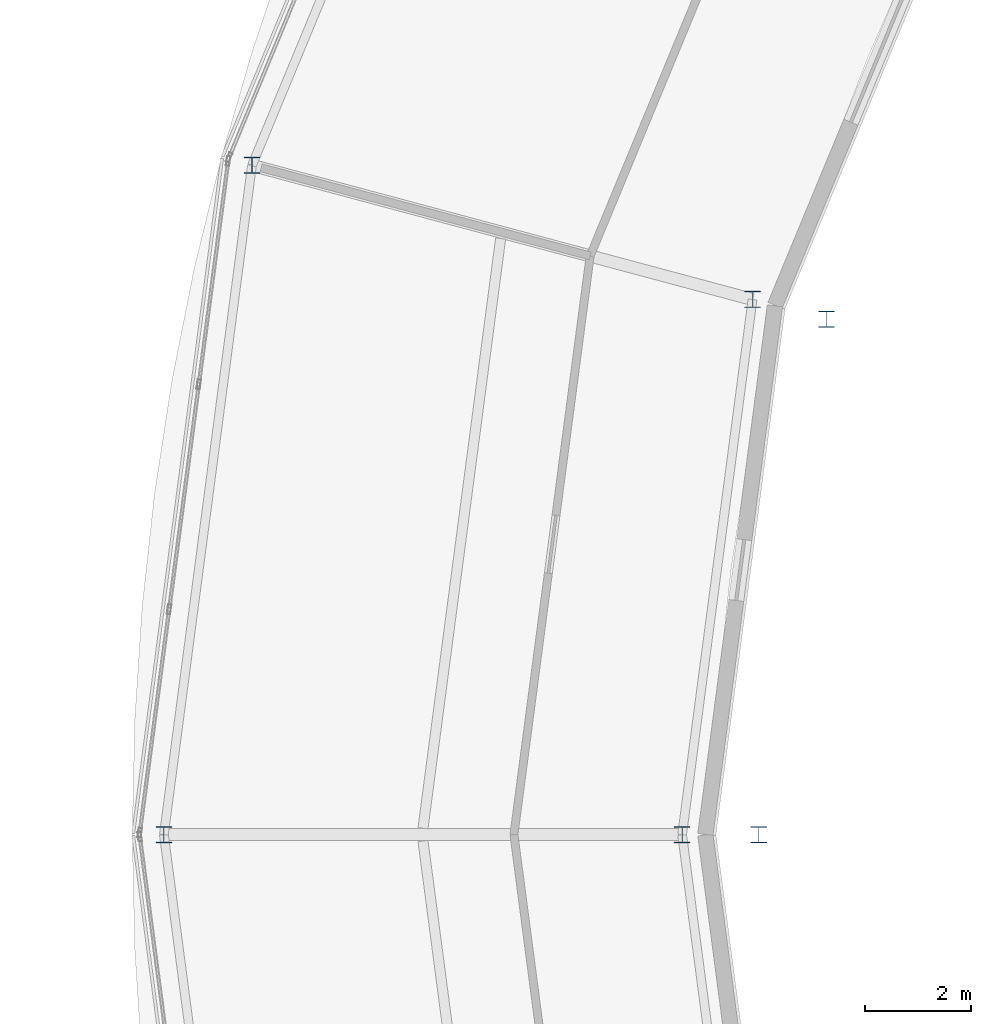
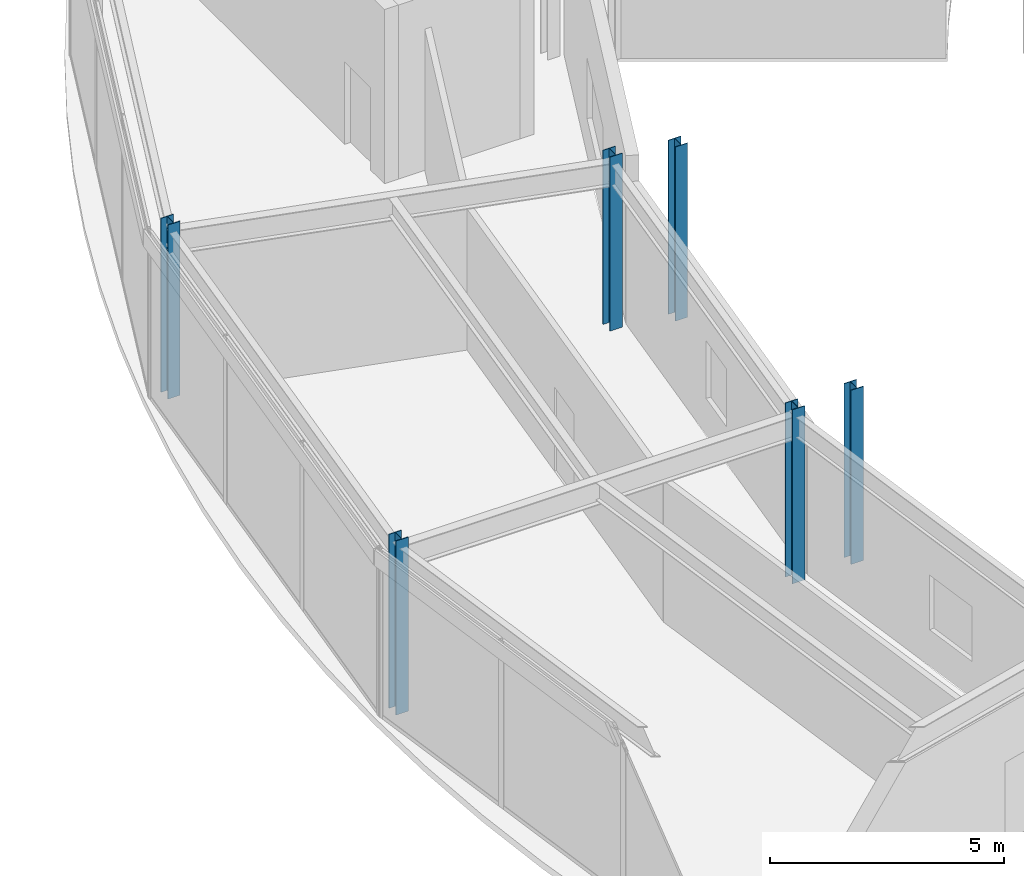
# One storey, part 2 of 116: 6 columns.
"""IFC4 building model written with IfcOpenShell, lengths in metres."""

from ifc_helpers import new_model, si_unit, direction, frame, origin, origin_2d, place, context, subcontext, project, spatial, i_section, extrude, material, material_profile, profile_set, type_object, element, save


model = new_model("IFC4")

# Units and contexts
model_context = context("Model", 3, precision=1e-05, world=origin(), true_north=direction((0.0, 1.0)))
body_context = subcontext(model_context, "Body", "Model", "MODEL_VIEW")
ifc_project = project(units=[si_unit("LENGTHUNIT", "METRE"), si_unit("AREAUNIT", "SQUARE_METRE"), si_unit("VOLUMEUNIT", "CUBIC_METRE"), si_unit("PLANEANGLEUNIT", "RADIAN"), si_unit("MASSUNIT", "GRAM", prefix="KILO")], contexts=[model_context])

# Site, building, storey
site_placement = place(None, origin())
site = spatial("IfcSite", under=ifc_project, at=site_placement, CompositionType="ELEMENT")
building_placement = place(site_placement, origin())
building = spatial("IfcBuilding", under=site, at=building_placement, Name="Almandine Court Research Institute", CompositionType="ELEMENT")
storey_placement = place(building_placement, frame((0.0, 0.0, 14.35009765625)))
storey = spatial("IfcBuildingStorey", under=building, at=storey_placement, Name="L03", CompositionType="ELEMENT", Elevation=14.35009765625)

# Columns
ifc_material = material(Name="Steel ASTM A992 Grade 50", Category="steel")
ifc_material_profile_1 = material_profile(ifc_material, i_section(OverallWidth=0.305908203125, OverallDepth=0.31103515625, WebThickness=0.010986328125, FlangeThickness=0.01708984375, at=origin_2d()), Name="W310x107")
ifc_profile_set_1 = profile_set([ifc_material_profile_1], Name="Steel ASTM A992 Grade 50")
column_type_1 = type_object("IfcColumnType", Name="Col-C-W08", PredefinedType="COLUMN", material=ifc_profile_set_1)
for number, where, z_axis, x_axis, name in (
    (1, (50.633056640625, 65.7451171875, 0.0), (0.0, 0.0, 1.0), (1.0, 0.0, 0.0), "L03 V2 Column V2-OUT-S11"),
    (2, (49.35009765625, 56.0, 0.0), (0.0, 0.0, 1.0), (1.0, 0.0, 0.0), "L03 V2 Column V2-OUT-S12"),
):
    element("IfcColumn", number, at=place(storey_placement, frame(where, z_axis=z_axis, x_axis=x_axis)), inside=storey, type_object=column_type_1, Name=name, PredefinedType="COLUMN", context=body_context, shape_type="SweptSolid", body=[
        extrude(i_section(OverallWidth=0.305908203125, OverallDepth=0.31103515625, WebThickness=0.010986328125, FlangeThickness=0.01708984375, at=origin_2d()), origin(), (0.0, 0.0, 1.0), 4.5498046875),
    ])
ifc_material_profile_2 = material_profile(ifc_material, i_section(OverallWidth=0.305908203125, OverallDepth=0.31103515625, WebThickness=0.010986328125, FlangeThickness=0.01708984375, at=origin_2d()), Name="W310x107")
ifc_profile_set_2 = profile_set([ifc_material_profile_2], Name="Steel ASTM A992 Grade 50")
column_type_2 = type_object("IfcColumnType", Name="Col-C-W08-E", PredefinedType="COLUMN", material=ifc_profile_set_2)
for number, where, z_axis, x_axis, name in (
    (3, (49.23193359375, 66.1201171875, 0.0), (0.0, 0.0, 1.0), (1.0, 0.0, 0.0), "L03 V5 Column V5-IN-S11"),
    (4, (39.76611328125, 68.656005859375, 0.0), (0.0, 0.0, 1.0), (1.0, 0.0, 0.0), "L03 V5 Column V5-OUT-S11"),
    (5, (47.89990234375, 56.0, 0.0), (0.0, 0.0, 1.0), (1.0, 0.0, 0.0), "L03 V5 Column V5-IN-S12"),
    (6, (38.10009765625, 56.0, 0.0), (0.0, 0.0, 1.0), (1.0, 0.0, 0.0), "L03 V5 Column V5-OUT-S12"),
):
    element("IfcColumn", number, at=place(storey_placement, frame(where, z_axis=z_axis, x_axis=x_axis)), inside=storey, type_object=column_type_2, Name=name, PredefinedType="COLUMN", context=body_context, shape_type="SweptSolid", body=[
        extrude(i_section(OverallWidth=0.305908203125, OverallDepth=0.31103515625, WebThickness=0.010986328125, FlangeThickness=0.01708984375, at=origin_2d()), origin(), (0.0, 0.0, 1.0), 4.5498046875),
    ])

save(model, "model.ifc")
